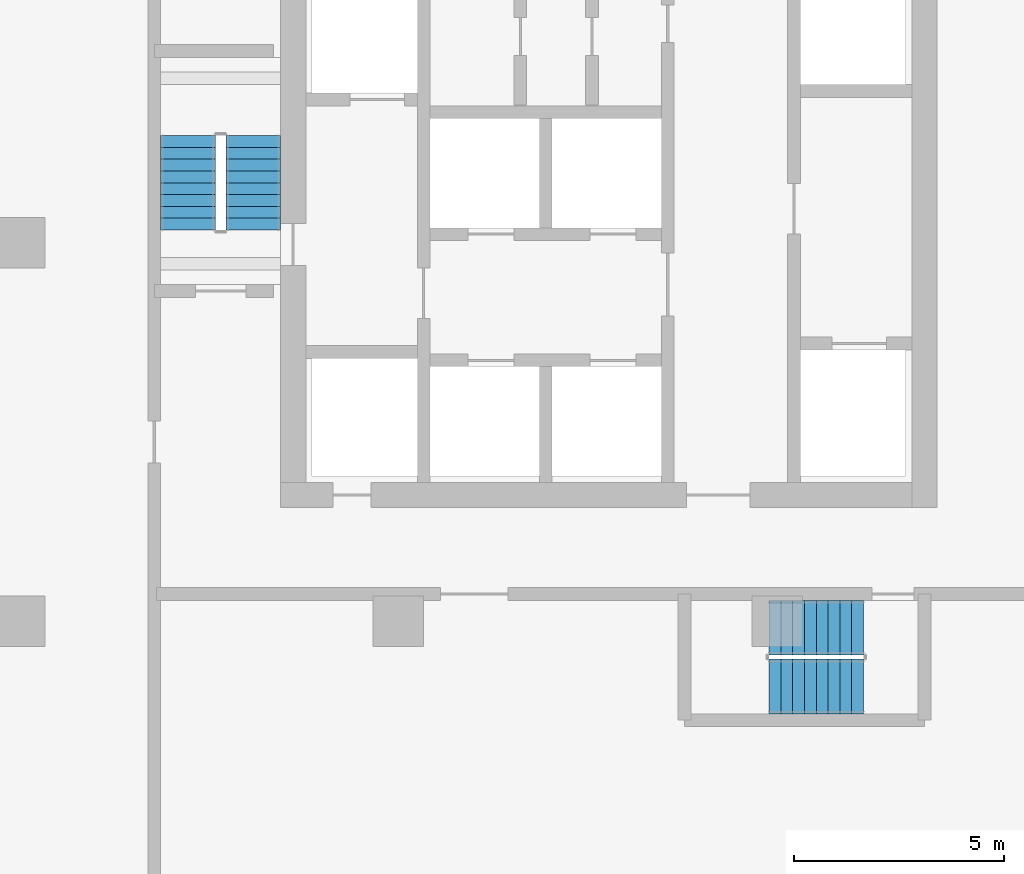
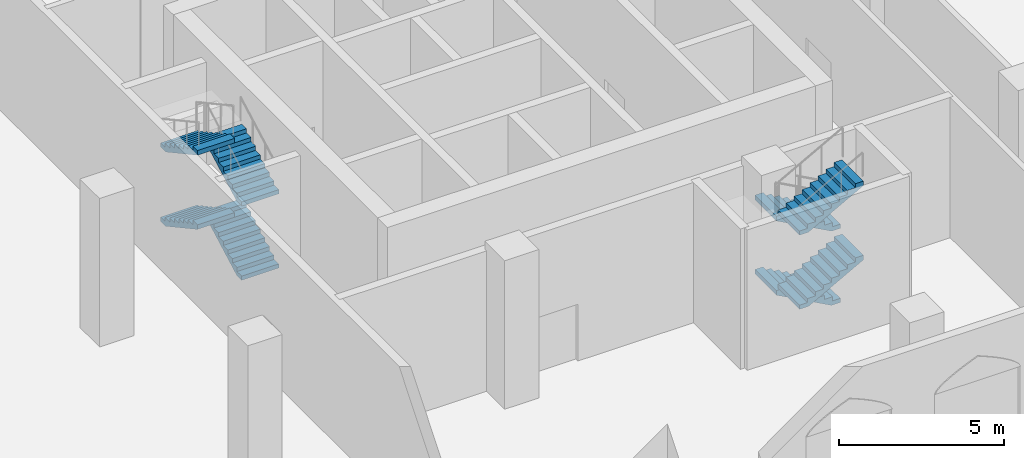
# One storey, part 18 of 31: 8 stair flights, 2 elements without a shape of their own.
"""IFC4 building model written with IfcOpenShell, lengths in metres."""

from ifc_helpers import new_model, si_unit, direction, frame, origin, place, context, subcontext, project, spatial, triangles, source, transform, mapped, material, type_object, element, aggregate, save


model = new_model("IFC4")

# Units and contexts
model_context = context("Model", 3, precision=1e-05, world=origin(), true_north=direction((0.0, 1.0)))
body_context = subcontext(model_context, "Body", "Model", "MODEL_VIEW")
ifc_project = project(units=[si_unit("LENGTHUNIT", "METRE"), si_unit("AREAUNIT", "SQUARE_METRE"), si_unit("VOLUMEUNIT", "CUBIC_METRE"), si_unit("PLANEANGLEUNIT", "RADIAN"), si_unit("MASSUNIT", "GRAM", prefix="KILO")], contexts=[model_context])

# Site, building, storey
site_placement = place(None, origin())
site = spatial("IfcSite", under=ifc_project, at=site_placement, CompositionType="ELEMENT")
building_placement = place(site_placement, origin())
building = spatial("IfcBuilding", under=site, at=building_placement, Name="Ogive Portal Towers", CompositionType="ELEMENT")
storey_placement = place(building_placement, frame((0.0, 0.0, 8.0)))
storey = spatial("IfcBuildingStorey", under=building, at=storey_placement, Name="L01", CompositionType="ELEMENT", Elevation=8.0)

# Stair, stair flights
ifc_material = material(Name="Concrete C40/50", Category="concrete")
stair_type = type_object("IfcStairType", Name="INT-STAIR", PredefinedType="HALF_TURN_STAIR", material=ifc_material)
stair_1_placement = place(storey_placement, origin())
stair_1 = element("IfcStair", 1, at=stair_1_placement, inside=storey, type_object=stair_type, Name="L01 Exit Stair ST-B1", PredefinedType="HALF_TURN_STAIR")
stair_flight_type = type_object("IfcStairFlightType", Name="INT-FLIGHT", PredefinedType="STRAIGHT", material=ifc_material)
shared_shape = source(origin(), body_context, "Body", "Tessellation", [
    triangles([(0.0, -0.650146484375, 0.0), (0.0, -0.376220703125, 0.0), (0.0, -0.192626953125, 0.0), (0.0, -0.081298828125, 0.0), (0.0, -0.024169921875, 0.0), (0.0, -0.003173828125, 0.0), (0.0, 0.0, 0.0), (0.0, 0.0029296875, 0.0), (0.0, 0.02392578125, 0.0), (0.0, 0.0810546875, 0.0), (0.0, 0.1923828125, 0.0), (0.0, 0.3759765625, 0.0), (0.0, 0.64990234375, 0.0), (0.0, -0.650146484375, 0.15283203125), (0.0, -0.376220703125, 0.15283203125), (0.0, -0.192626953125, 0.15283203125), (0.0, -0.081298828125, 0.15283203125), (0.0, -0.024169921875, 0.15283203125), (0.0, -0.003173828125, 0.15283203125), (0.0, 0.0, 0.15283203125), (0.0, 0.0029296875, 0.15283203125), (0.0, 0.02392578125, 0.15283203125), (0.0, 0.0810546875, 0.15283203125), (0.0, 0.1923828125, 0.15283203125), (0.0, 0.3759765625, 0.15283203125), (0.0, 0.64990234375, 0.15283203125), (0.280029296875, -0.650146484375, 0.15283203125), (0.280029296875, -0.376220703125, 0.15283203125), (0.280029296875, -0.192626953125, 0.15283203125), (0.280029296875, -0.081298828125, 0.15283203125), (0.280029296875, -0.024169921875, 0.15283203125), (0.280029296875, -0.003173828125, 0.15283203125), (0.280029296875, 0.0, 0.15283203125), (0.280029296875, 0.0029296875, 0.15283203125), (0.280029296875, 0.02392578125, 0.15283203125), (0.280029296875, 0.0810546875, 0.15283203125), (0.280029296875, 0.1923828125, 0.15283203125), (0.280029296875, 0.3759765625, 0.15283203125), (0.280029296875, 0.64990234375, 0.15283203125), (0.280029296875, -0.650146484375, 0.3056640625), (0.280029296875, -0.376220703125, 0.3056640625), (0.280029296875, -0.192626953125, 0.3056640625), (0.280029296875, -0.081298828125, 0.3056640625), (0.280029296875, -0.024169921875, 0.3056640625), (0.280029296875, -0.003173828125, 0.3056640625), (0.280029296875, 0.0, 0.3056640625), (0.280029296875, 0.0029296875, 0.3056640625), (0.280029296875, 0.02392578125, 0.3056640625), (0.280029296875, 0.0810546875, 0.3056640625), (0.280029296875, 0.1923828125, 0.3056640625), (0.280029296875, 0.3759765625, 0.3056640625), (0.280029296875, 0.64990234375, 0.3056640625), (0.56005859375, -0.650146484375, 0.3056640625), (0.56005859375, -0.376220703125, 0.3056640625), (0.56005859375, -0.192626953125, 0.3056640625), (0.56005859375, -0.081298828125, 0.3056640625), (0.56005859375, -0.024169921875, 0.3056640625), (0.56005859375, -0.003173828125, 0.3056640625), (0.56005859375, 0.0, 0.3056640625), (0.56005859375, 0.0029296875, 0.3056640625), (0.56005859375, 0.02392578125, 0.3056640625), (0.56005859375, 0.0810546875, 0.3056640625), (0.56005859375, 0.1923828125, 0.3056640625), (0.56005859375, 0.3759765625, 0.3056640625), (0.56005859375, 0.64990234375, 0.3056640625), (0.56005859375, -0.650146484375, 0.458251953125), (0.56005859375, -0.376220703125, 0.458251953125), (0.56005859375, -0.192626953125, 0.458251953125), (0.56005859375, -0.081298828125, 0.458251953125), (0.56005859375, -0.024169921875, 0.458251953125), (0.56005859375, -0.003173828125, 0.458251953125), (0.56005859375, 0.0, 0.458251953125), (0.56005859375, 0.0029296875, 0.458251953125), (0.56005859375, 0.02392578125, 0.458251953125), (0.56005859375, 0.0810546875, 0.458251953125), (0.56005859375, 0.1923828125, 0.458251953125), (0.56005859375, 0.3759765625, 0.458251953125), (0.56005859375, 0.64990234375, 0.458251953125), (0.840087890625, -0.650146484375, 0.458251953125), (0.840087890625, -0.376220703125, 0.458251953125), (0.840087890625, -0.192626953125, 0.458251953125), (0.840087890625, -0.081298828125, 0.458251953125), (0.840087890625, -0.024169921875, 0.458251953125), (0.840087890625, -0.003173828125, 0.458251953125), (0.840087890625, 0.0, 0.458251953125), (0.840087890625, 0.0029296875, 0.458251953125), (0.840087890625, 0.02392578125, 0.458251953125), (0.840087890625, 0.0810546875, 0.458251953125), (0.840087890625, 0.1923828125, 0.458251953125), (0.840087890625, 0.3759765625, 0.458251953125), (0.840087890625, 0.64990234375, 0.458251953125), (0.840087890625, -0.650146484375, 0.611083984375), (0.840087890625, -0.376220703125, 0.611083984375), (0.840087890625, -0.192626953125, 0.611083984375), (0.840087890625, -0.081298828125, 0.611083984375), (0.840087890625, -0.024169921875, 0.611083984375), (0.840087890625, -0.003173828125, 0.611083984375), (0.840087890625, 0.0, 0.611083984375), (0.840087890625, 0.0029296875, 0.611083984375), (0.840087890625, 0.02392578125, 0.611083984375), (0.840087890625, 0.0810546875, 0.611083984375), (0.840087890625, 0.1923828125, 0.611083984375), (0.840087890625, 0.3759765625, 0.611083984375), (0.840087890625, 0.64990234375, 0.611083984375), (1.1201171875, -0.650146484375, 0.611083984375), (1.1201171875, -0.376220703125, 0.611083984375), (1.1201171875, -0.192626953125, 0.611083984375), (1.1201171875, -0.081298828125, 0.611083984375), (1.1201171875, -0.024169921875, 0.611083984375), (1.1201171875, -0.003173828125, 0.611083984375), (1.1201171875, 0.0, 0.611083984375), (1.1201171875, 0.0029296875, 0.611083984375), (1.1201171875, 0.02392578125, 0.611083984375), (1.1201171875, 0.0810546875, 0.611083984375), (1.1201171875, 0.1923828125, 0.611083984375), (1.1201171875, 0.3759765625, 0.611083984375), (1.1201171875, 0.64990234375, 0.611083984375), (1.1201171875, -0.650146484375, 0.763916015625), (1.1201171875, -0.376220703125, 0.763916015625), (1.1201171875, -0.192626953125, 0.763916015625), (1.1201171875, -0.081298828125, 0.763916015625), (1.1201171875, -0.024169921875, 0.763916015625), (1.1201171875, -0.003173828125, 0.763916015625), (1.1201171875, 0.0, 0.763916015625), (1.1201171875, 0.0029296875, 0.763916015625), (1.1201171875, 0.02392578125, 0.763916015625), (1.1201171875, 0.0810546875, 0.763916015625), (1.1201171875, 0.1923828125, 0.763916015625), (1.1201171875, 0.3759765625, 0.763916015625), (1.1201171875, 0.64990234375, 0.763916015625), (1.39990234375, -0.650146484375, 0.763916015625), (1.39990234375, -0.376220703125, 0.763916015625), (1.39990234375, -0.192626953125, 0.763916015625), (1.39990234375, -0.081298828125, 0.763916015625), (1.39990234375, -0.024169921875, 0.763916015625), (1.39990234375, -0.003173828125, 0.763916015625), (1.39990234375, 0.0, 0.763916015625), (1.39990234375, 0.0029296875, 0.763916015625), (1.39990234375, 0.02392578125, 0.763916015625), (1.39990234375, 0.0810546875, 0.763916015625), (1.39990234375, 0.1923828125, 0.763916015625), (1.39990234375, 0.3759765625, 0.763916015625), (1.39990234375, 0.64990234375, 0.763916015625), (1.39990234375, -0.650146484375, 0.916748046875), (1.39990234375, -0.376220703125, 0.916748046875), (1.39990234375, -0.192626953125, 0.916748046875), (1.39990234375, -0.081298828125, 0.916748046875), (1.39990234375, -0.024169921875, 0.916748046875), (1.39990234375, -0.003173828125, 0.916748046875), (1.39990234375, 0.0, 0.916748046875), (1.39990234375, 0.0029296875, 0.916748046875), (1.39990234375, 0.02392578125, 0.916748046875), (1.39990234375, 0.0810546875, 0.916748046875), (1.39990234375, 0.1923828125, 0.916748046875), (1.39990234375, 0.3759765625, 0.916748046875), (1.39990234375, 0.64990234375, 0.916748046875), (1.679931640625, -0.650146484375, 0.916748046875), (1.679931640625, -0.376220703125, 0.916748046875), (1.679931640625, -0.192626953125, 0.916748046875), (1.679931640625, -0.081298828125, 0.916748046875), (1.679931640625, -0.024169921875, 0.916748046875), (1.679931640625, -0.003173828125, 0.916748046875), (1.679931640625, 0.0, 0.916748046875), (1.679931640625, 0.0029296875, 0.916748046875), (1.679931640625, 0.02392578125, 0.916748046875), (1.679931640625, 0.0810546875, 0.916748046875), (1.679931640625, 0.1923828125, 0.916748046875), (1.679931640625, 0.3759765625, 0.916748046875), (1.679931640625, 0.64990234375, 0.916748046875), (1.679931640625, -0.650146484375, 1.0693359375), (1.679931640625, -0.376220703125, 1.0693359375), (1.679931640625, -0.192626953125, 1.0693359375), (1.679931640625, -0.081298828125, 1.0693359375), (1.679931640625, -0.024169921875, 1.0693359375), (1.679931640625, -0.003173828125, 1.0693359375), (1.679931640625, 0.0, 1.0693359375), (1.679931640625, 0.0029296875, 1.0693359375), (1.679931640625, 0.02392578125, 1.0693359375), (1.679931640625, 0.0810546875, 1.0693359375), (1.679931640625, 0.1923828125, 1.0693359375), (1.679931640625, 0.3759765625, 1.0693359375), (1.679931640625, 0.64990234375, 1.0693359375), (1.9599609375, -0.650146484375, 1.0693359375), (1.9599609375, -0.376220703125, 1.0693359375), (1.9599609375, -0.192626953125, 1.0693359375), (1.9599609375, -0.081298828125, 1.0693359375), (1.9599609375, -0.024169921875, 1.0693359375), (1.9599609375, -0.003173828125, 1.0693359375), (1.9599609375, 0.0, 1.0693359375), (1.9599609375, 0.0029296875, 1.0693359375), (1.9599609375, 0.02392578125, 1.0693359375), (1.9599609375, 0.0810546875, 1.0693359375), (1.9599609375, 0.1923828125, 1.0693359375), (1.9599609375, 0.3759765625, 1.0693359375), (1.9599609375, 0.64990234375, 1.0693359375), (1.9599609375, -0.650146484375, 1.22216796875), (1.9599609375, -0.376220703125, 1.22216796875), (1.9599609375, -0.192626953125, 1.22216796875), (1.9599609375, -0.081298828125, 1.22216796875), (1.9599609375, -0.024169921875, 1.22216796875), (1.9599609375, -0.003173828125, 1.22216796875), (1.9599609375, 0.0, 1.22216796875), (1.9599609375, 0.0029296875, 1.22216796875), (1.9599609375, 0.02392578125, 1.22216796875), (1.9599609375, 0.0810546875, 1.22216796875), (1.9599609375, 0.1923828125, 1.22216796875), (1.9599609375, 0.3759765625, 1.22216796875), (1.9599609375, 0.64990234375, 1.22216796875), (2.239990234375, -0.650146484375, 1.22216796875), (2.239990234375, -0.376220703125, 1.22216796875), (2.239990234375, -0.192626953125, 1.22216796875), (2.239990234375, -0.081298828125, 1.22216796875), (2.239990234375, -0.024169921875, 1.22216796875), (2.239990234375, -0.003173828125, 1.22216796875), (2.239990234375, 0.0, 1.22216796875), (2.239990234375, 0.0029296875, 1.22216796875), (2.239990234375, 0.02392578125, 1.22216796875), (2.239990234375, 0.0810546875, 1.22216796875), (2.239990234375, 0.1923828125, 1.22216796875), (2.239990234375, 0.3759765625, 1.22216796875), (2.239990234375, 0.64990234375, 1.22216796875), (2.239990234375, -0.650146484375, 1.051513671875), (2.239990234375, -0.376220703125, 1.051513671875), (2.239990234375, -0.192626953125, 1.051513671875), (2.239990234375, -0.081298828125, 1.051513671875), (2.239990234375, -0.024169921875, 1.051513671875), (2.239990234375, -0.003173828125, 1.051513671875), (2.239990234375, 0.0, 1.051513671875), (2.239990234375, 0.0029296875, 1.051513671875), (2.239990234375, 0.02392578125, 1.051513671875), (2.239990234375, 0.0810546875, 1.051513671875), (2.239990234375, 0.1923828125, 1.051513671875), (2.239990234375, 0.3759765625, 1.051513671875), (2.239990234375, 0.64990234375, 1.051513671875), (0.31298828125, -0.650146484375, 0.0), (0.31298828125, -0.376220703125, 0.0), (0.31298828125, -0.192626953125, 0.0), (0.31298828125, -0.081298828125, 0.0), (0.31298828125, -0.024169921875, 0.0), (0.31298828125, -0.003173828125, 0.0), (0.31298828125, 0.0, 0.0), (0.31298828125, 0.0029296875, 0.0), (0.31298828125, 0.02392578125, 0.0), (0.31298828125, 0.0810546875, 0.0), (0.31298828125, 0.1923828125, 0.0), (0.31298828125, 0.3759765625, 0.0), (0.31298828125, 0.64990234375, 0.0)], [[1, 14, 15], [1, 15, 2], [2, 15, 16], [2, 16, 3], [3, 16, 17], [3, 17, 4], [4, 17, 18], [4, 18, 5], [5, 18, 19], [5, 19, 6], [6, 19, 20], [6, 20, 7], [7, 20, 21], [7, 21, 8], [8, 21, 22], [8, 22, 9], [9, 22, 23], [9, 23, 10], [10, 23, 24], [10, 24, 11], [11, 24, 25], [11, 25, 12], [12, 25, 26], [12, 26, 13], [14, 27, 28], [14, 28, 15], [15, 28, 29], [15, 29, 16], [16, 29, 30], [16, 30, 17], [17, 30, 31], [17, 31, 18], [18, 31, 32], [18, 32, 19], [19, 32, 33], [19, 33, 20], [20, 33, 34], [20, 34, 21], [21, 34, 35], [21, 35, 22], [22, 35, 36], [22, 36, 23], [23, 36, 37], [23, 37, 24], [24, 37, 38], [24, 38, 25], [25, 38, 39], [25, 39, 26], [27, 40, 41], [27, 41, 28], [28, 41, 42], [28, 42, 29], [29, 42, 43], [29, 43, 30], [30, 43, 44], [30, 44, 31], [31, 44, 45], [31, 45, 32], [32, 45, 46], [32, 46, 33], [33, 46, 47], [33, 47, 34], [34, 47, 48], [34, 48, 35], [35, 48, 49], [35, 49, 36], [36, 49, 50], [36, 50, 37], [37, 50, 51], [37, 51, 38], [38, 51, 52], [38, 52, 39], [40, 53, 54], [40, 54, 41], [41, 54, 55], [41, 55, 42], [42, 55, 56], [42, 56, 43], [43, 56, 57], [43, 57, 44], [44, 57, 58], [44, 58, 45], [45, 58, 59], [45, 59, 46], [46, 59, 60], [46, 60, 47], [47, 60, 61], [47, 61, 48], [48, 61, 62], [48, 62, 49], [49, 62, 63], [49, 63, 50], [50, 63, 64], [50, 64, 51], [51, 64, 65], [51, 65, 52], [53, 66, 67], [53, 67, 54], [54, 67, 68], [54, 68, 55], [55, 68, 69], [55, 69, 56], [56, 69, 70], [56, 70, 57], [57, 70, 71], [57, 71, 58], [58, 71, 72], [58, 72, 59], [59, 72, 73], [59, 73, 60], [60, 73, 74], [60, 74, 61], [61, 74, 75], [61, 75, 62], [62, 75, 76], [62, 76, 63], [63, 76, 77], [63, 77, 64], [64, 77, 78], [64, 78, 65], [66, 79, 80], [66, 80, 67], [67, 80, 81], [67, 81, 68], [68, 81, 82], [68, 82, 69], [69, 82, 83], [69, 83, 70], [70, 83, 84], [70, 84, 71], [71, 84, 85], [71, 85, 72], [72, 85, 86], [72, 86, 73], [73, 86, 87], [73, 87, 74], [74, 87, 88], [74, 88, 75], [75, 88, 89], [75, 89, 76], [76, 89, 90], [76, 90, 77], [77, 90, 91], [77, 91, 78], [79, 92, 93], [79, 93, 80], [80, 93, 94], [80, 94, 81], [81, 94, 95], [81, 95, 82], [82, 95, 96], [82, 96, 83], [83, 96, 97], [83, 97, 84], [84, 97, 98], [84, 98, 85], [85, 98, 99], [85, 99, 86], [86, 99, 100], [86, 100, 87], [87, 100, 101], [87, 101, 88], [88, 101, 102], [88, 102, 89], [89, 102, 103], [89, 103, 90], [90, 103, 104], [90, 104, 91], [92, 105, 106], [92, 106, 93], [93, 106, 107], [93, 107, 94], [94, 107, 108], [94, 108, 95], [95, 108, 109], [95, 109, 96], [96, 109, 110], [96, 110, 97], [97, 110, 111], [97, 111, 98], [98, 111, 112], [98, 112, 99], [99, 112, 113], [99, 113, 100], [100, 113, 114], [100, 114, 101], [101, 114, 115], [101, 115, 102], [102, 115, 116], [102, 116, 103], [103, 116, 117], [103, 117, 104], [105, 118, 119], [105, 119, 106], [106, 119, 120], [106, 120, 107], [107, 120, 121], [107, 121, 108], [108, 121, 122], [108, 122, 109], [109, 122, 123], [109, 123, 110], [110, 123, 124], [110, 124, 111], [111, 124, 125], [111, 125, 112], [112, 125, 126], [112, 126, 113], [113, 126, 127], [113, 127, 114], [114, 127, 128], [114, 128, 115], [115, 128, 129], [115, 129, 116], [116, 129, 130], [116, 130, 117], [118, 131, 132], [118, 132, 119], [119, 132, 133], [119, 133, 120], [120, 133, 134], [120, 134, 121], [121, 134, 135], [121, 135, 122], [122, 135, 136], [122, 136, 123], [123, 136, 137], [123, 137, 124], [124, 137, 138], [124, 138, 125], [125, 138, 139], [125, 139, 126], [126, 139, 140], [126, 140, 127], [127, 140, 141], [127, 141, 128], [128, 141, 142], [128, 142, 129], [129, 142, 143], [129, 143, 130], [131, 144, 145], [131, 145, 132], [132, 145, 146], [132, 146, 133], [133, 146, 147], [133, 147, 134], [134, 147, 148], [134, 148, 135], [135, 148, 149], [135, 149, 136], [136, 149, 150], [136, 150, 137], [137, 150, 151], [137, 151, 138], [138, 151, 152], [138, 152, 139], [139, 152, 153], [139, 153, 140], [140, 153, 154], [140, 154, 141], [141, 154, 155], [141, 155, 142], [142, 155, 156], [142, 156, 143], [144, 157, 158], [144, 158, 145], [145, 158, 159], [145, 159, 146], [146, 159, 160], [146, 160, 147], [147, 160, 161], [147, 161, 148], [148, 161, 162], [148, 162, 149], [149, 162, 163], [149, 163, 150], [150, 163, 164], [150, 164, 151], [151, 164, 165], [151, 165, 152], [152, 165, 166], [152, 166, 153], [153, 166, 167], [153, 167, 154], [154, 167, 168], [154, 168, 155], [155, 168, 169], [155, 169, 156], [157, 170, 171], [157, 171, 158], [158, 171, 172], [158, 172, 159], [159, 172, 173], [159, 173, 160], [160, 173, 174], [160, 174, 161], [161, 174, 175], [161, 175, 162], [162, 175, 176], [162, 176, 163], [163, 176, 177], [163, 177, 164], [164, 177, 178], [164, 178, 165], [165, 178, 179], [165, 179, 166], [166, 179, 180], [166, 180, 167], [167, 180, 181], [167, 181, 168], [168, 181, 182], [168, 182, 169], [170, 183, 184], [170, 184, 171], [171, 184, 185], [171, 185, 172], [172, 185, 186], [172, 186, 173], [173, 186, 187], [173, 187, 174], [174, 187, 188], [174, 188, 175], [175, 188, 189], [175, 189, 176], [176, 189, 190], [176, 190, 177], [177, 190, 191], [177, 191, 178], [178, 191, 192], [178, 192, 179], [179, 192, 193], [179, 193, 180], [180, 193, 194], [180, 194, 181], [181, 194, 195], [181, 195, 182], [183, 196, 197], [183, 197, 184], [184, 197, 198], [184, 198, 185], [185, 198, 199], [185, 199, 186], [186, 199, 200], [186, 200, 187], [187, 200, 201], [187, 201, 188], [188, 201, 202], [188, 202, 189], [189, 202, 203], [189, 203, 190], [190, 203, 204], [190, 204, 191], [191, 204, 205], [191, 205, 192], [192, 205, 206], [192, 206, 193], [193, 206, 207], [193, 207, 194], [194, 207, 208], [194, 208, 195], [196, 209, 210], [196, 210, 197], [197, 210, 211], [197, 211, 198], [198, 211, 212], [198, 212, 199], [199, 212, 213], [199, 213, 200], [200, 213, 214], [200, 214, 201], [201, 214, 215], [201, 215, 202], [202, 215, 216], [202, 216, 203], [203, 216, 217], [203, 217, 204], [204, 217, 218], [204, 218, 205], [205, 218, 219], [205, 219, 206], [206, 219, 220], [206, 220, 207], [207, 220, 221], [207, 221, 208], [209, 222, 223], [209, 223, 210], [210, 223, 224], [210, 224, 211], [211, 224, 225], [211, 225, 212], [212, 225, 226], [212, 226, 213], [213, 226, 227], [213, 227, 214], [214, 227, 228], [214, 228, 215], [215, 228, 229], [215, 229, 216], [216, 229, 230], [216, 230, 217], [217, 230, 231], [217, 231, 218], [218, 231, 232], [218, 232, 219], [219, 232, 233], [219, 233, 220], [220, 233, 234], [220, 234, 221], [222, 235, 236], [222, 236, 223], [223, 236, 237], [223, 237, 224], [224, 237, 238], [224, 238, 225], [225, 238, 239], [225, 239, 226], [226, 239, 240], [226, 240, 227], [227, 240, 241], [227, 241, 228], [228, 241, 242], [228, 242, 229], [229, 242, 243], [229, 243, 230], [230, 243, 244], [230, 244, 231], [231, 244, 245], [231, 245, 232], [232, 245, 246], [232, 246, 233], [233, 246, 247], [233, 247, 234], [235, 1, 2], [235, 2, 236], [236, 2, 3], [236, 3, 237], [237, 3, 4], [237, 4, 238], [238, 4, 5], [238, 5, 239], [239, 5, 6], [239, 6, 240], [240, 6, 7], [240, 7, 241], [241, 7, 8], [241, 8, 242], [242, 8, 9], [242, 9, 243], [243, 9, 10], [243, 10, 244], [244, 10, 11], [244, 11, 245], [245, 11, 12], [245, 12, 246], [246, 12, 13], [246, 13, 247], [1, 235, 222], [13, 234, 247], [222, 209, 196], [234, 208, 221], [222, 196, 183], [234, 195, 208], [222, 183, 170], [234, 182, 195], [222, 170, 157], [234, 169, 182], [157, 144, 131], [169, 143, 156], [222, 157, 131], [234, 143, 169], [131, 118, 105], [143, 117, 130], [222, 131, 105], [234, 117, 143], [105, 92, 79], [117, 91, 104], [222, 105, 79], [234, 91, 117], [1, 222, 79], [13, 91, 234], [79, 66, 53], [91, 65, 78], [53, 40, 27], [65, 39, 52], [79, 53, 27], [91, 39, 65], [1, 79, 27], [13, 39, 91], [27, 14, 1], [39, 13, 26]], closed=True),
])
stair_flight_1_placement = place(storey_placement, frame((128.050048828125, 30.800048828125, 0.0), z_axis=(0.0, 0.0, 1.0), x_axis=(0.0, 1.0, 0.0)))
stair_flight_1 = element("IfcStairFlight", 2, at=stair_flight_1_placement, type_object=stair_flight_type, Name="ST-B1 flight 1", NumberOfRisers=9, NumberOfTreads=8, PredefinedType="STRAIGHT", RiserHeight=0.152777778, TreadLength=0.28, context=body_context, shape_type="MappedRepresentation", body=[
    mapped(shared_shape, transform((0.0, 0.0, 0.0), scale=1.0)),
])
stair_flight_2_placement = place(storey_placement, frame((126.5, 33.0400390625, 1.375), z_axis=(0.0, 0.0, 1.0), x_axis=(0.0, -1.0, 0.0)))
stair_flight_2 = element("IfcStairFlight", 3, at=stair_flight_2_placement, type_object=stair_flight_type, Name="ST-B1 flight 2", NumberOfRisers=9, NumberOfTreads=8, PredefinedType="STRAIGHT", RiserHeight=0.152777778, TreadLength=0.28, context=body_context, shape_type="MappedRepresentation", body=[
    mapped(shared_shape, transform((0.0, 0.0, 0.0), scale=1.0)),
])
stair_flight_3_placement = place(storey_placement, frame((128.050048828125, 30.800048828125, 2.75), z_axis=(0.0, 0.0, 1.0), x_axis=(0.0, 1.0, 0.0)))
stair_flight_3 = element("IfcStairFlight", 4, at=stair_flight_3_placement, type_object=stair_flight_type, Name="ST-B1 flight 3", NumberOfRisers=9, NumberOfTreads=8, PredefinedType="STRAIGHT", RiserHeight=0.152777778, TreadLength=0.28, context=body_context, shape_type="MappedRepresentation", body=[
    mapped(shared_shape, transform((0.0, 0.0, 0.0), scale=1.0)),
])
stair_flight_4_placement = place(storey_placement, frame((126.5, 33.0400390625, 4.125), z_axis=(0.0, 0.0, 1.0), x_axis=(0.0, -1.0, 0.0)))
stair_flight_4 = element("IfcStairFlight", 5, at=stair_flight_4_placement, type_object=stair_flight_type, Name="ST-B1 flight 4", NumberOfRisers=9, NumberOfTreads=8, PredefinedType="STRAIGHT", RiserHeight=0.152777778, TreadLength=0.28, context=body_context, shape_type="MappedRepresentation", body=[
    mapped(shared_shape, transform((0.0, 0.0, 0.0), scale=1.0)),
])
aggregate(stair_1, [stair_flight_1, stair_flight_2, stair_flight_3, stair_flight_4])

stair_2_placement = place(storey_placement, origin())
stair_2 = element("IfcStair", 6, at=stair_2_placement, inside=storey, type_object=stair_type, Name="L01 Exit Stair ST-B2", PredefinedType="HALF_TURN_STAIR")
stair_flight_5_placement = place(storey_placement, frame((142.550048828125, 21.35009765625, 0.0), z_axis=(0.0, 0.0, 1.0), x_axis=(-1.0, 0.0, 0.0)))
stair_flight_5 = element("IfcStairFlight", 7, at=stair_flight_5_placement, type_object=stair_flight_type, Name="ST-B2 flight 1", NumberOfRisers=9, NumberOfTreads=8, PredefinedType="STRAIGHT", RiserHeight=0.152777778, TreadLength=0.28, context=body_context, shape_type="MappedRepresentation", body=[
    mapped(shared_shape, transform((0.0, 0.0, 0.0), scale=1.0)),
])
stair_flight_6_placement = place(storey_placement, frame((140.31005859375, 19.949951171875, 1.375), z_axis=(0.0, 0.0, 1.0), x_axis=(1.0, 0.0, 0.0)))
stair_flight_6 = element("IfcStairFlight", 8, at=stair_flight_6_placement, type_object=stair_flight_type, Name="ST-B2 flight 2", NumberOfRisers=9, NumberOfTreads=8, PredefinedType="STRAIGHT", RiserHeight=0.152777778, TreadLength=0.28, context=body_context, shape_type="MappedRepresentation", body=[
    mapped(shared_shape, transform((0.0, 0.0, 0.0), scale=1.0)),
])
stair_flight_7_placement = place(storey_placement, frame((142.550048828125, 21.35009765625, 2.75), z_axis=(0.0, 0.0, 1.0), x_axis=(-1.0, 0.0, 0.0)))
stair_flight_7 = element("IfcStairFlight", 9, at=stair_flight_7_placement, type_object=stair_flight_type, Name="ST-B2 flight 3", NumberOfRisers=9, NumberOfTreads=8, PredefinedType="STRAIGHT", RiserHeight=0.152777778, TreadLength=0.28, context=body_context, shape_type="MappedRepresentation", body=[
    mapped(shared_shape, transform((0.0, 0.0, 0.0), scale=1.0)),
])
stair_flight_8_placement = place(storey_placement, frame((140.31005859375, 19.949951171875, 4.125), z_axis=(0.0, 0.0, 1.0), x_axis=(1.0, 0.0, 0.0)))
stair_flight_8 = element("IfcStairFlight", 10, at=stair_flight_8_placement, type_object=stair_flight_type, Name="ST-B2 flight 4", NumberOfRisers=9, NumberOfTreads=8, PredefinedType="STRAIGHT", RiserHeight=0.152777778, TreadLength=0.28, context=body_context, shape_type="MappedRepresentation", body=[
    mapped(shared_shape, transform((0.0, 0.0, 0.0), scale=1.0)),
])
aggregate(stair_2, [stair_flight_5, stair_flight_6, stair_flight_7, stair_flight_8])

save(model, "model.ifc")
